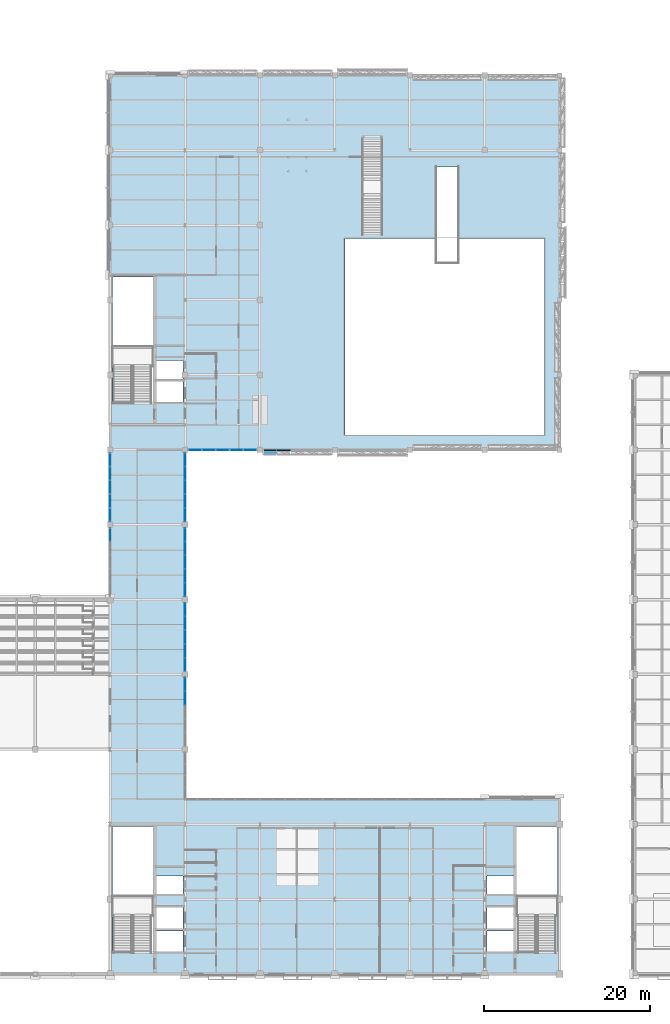
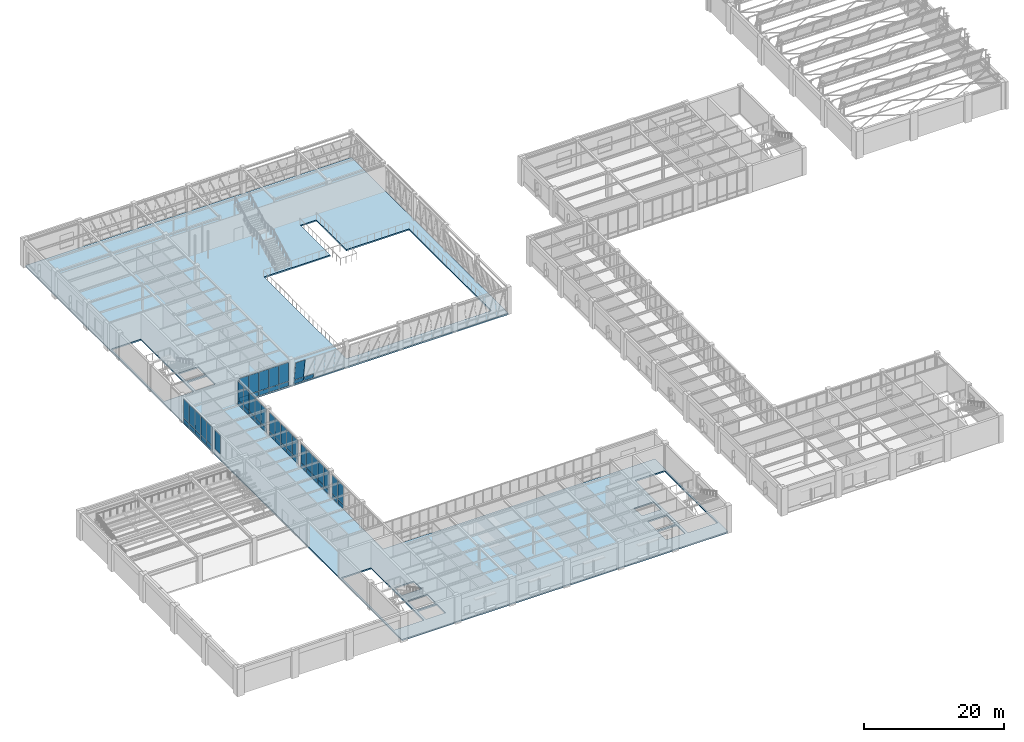
# One storey, part 68 of 98: 58 plates, 1 slab, 8 openings, 8 elements without a shape of their own.
"""IFC4 building model written with IfcOpenShell, lengths in metres."""

from ifc_helpers import new_model, si_unit, direction, frame, origin, origin_2d, place, context, subcontext, project, spatial, polyline, rectangle, outline, extrude, material, layer, layer_set, type_object, element, aggregate, save


model = new_model("IFC4")

# Units and contexts
model_context = context("Model", 3, precision=1e-05, world=origin(), true_north=direction((0.0, 1.0)))
body_context = subcontext(model_context, "Body", "Model", "MODEL_VIEW")
ifc_project = project(units=[si_unit("LENGTHUNIT", "METRE"), si_unit("AREAUNIT", "SQUARE_METRE"), si_unit("VOLUMEUNIT", "CUBIC_METRE"), si_unit("PLANEANGLEUNIT", "RADIAN"), si_unit("MASSUNIT", "GRAM", prefix="KILO")], contexts=[model_context])

# Site, building, storey
site_placement = place(None, origin())
site = spatial("IfcSite", under=ifc_project, at=site_placement, CompositionType="ELEMENT")
building_placement = place(site_placement, origin())
building = spatial("IfcBuilding", under=site, at=building_placement, Name="Lykobir Media Centre", CompositionType="ELEMENT")
storey_placement = place(building_placement, frame((0.0, 0.0, 10.199951171875)))
storey = spatial("IfcBuildingStorey", under=building, at=storey_placement, Name="L02", CompositionType="ELEMENT", Elevation=10.199951171875)

# Curtain wall, plates
ifc_material_1 = material(Name="Anodized Aluminium AW-6060", Category="aluminium")
curtain_wall_type_1 = type_object("IfcCurtainWallType", Name="CW-COURT-A", PredefinedType="NOTDEFINED", material=ifc_material_1)
curtain_wall_1_placement = place(storey_placement, origin())
curtain_wall_1 = element("IfcCurtainWall", 1, at=curtain_wall_1_placement, inside=storey, type_object=curtain_wall_type_1, Name="Curtain wall CW2-L02-0078", PredefinedType="NOTDEFINED")
ifc_material_2 = material(Name="Low-E Laminated Triple Glazing", Category="glass")
ifc_layer_1 = layer(ifc_material_2, 0.0380859375, Name="Low-E Laminated Triple Glazing")
ifc_layer_set_1 = layer_set([ifc_layer_1], Name="Low-E Laminated Triple Glazing")
plate_type_1 = type_object("IfcPlateType", Name="CWP-GLZ-38", PredefinedType="CURTAIN_PANEL", material=ifc_layer_set_1)
plate_1_placement = place(storey_placement, frame((36.0, 34.7998046875, 0.882568359375), z_axis=(0.0, 0.0, 1.0), x_axis=(0.0, -1.0, 0.0)))
plate_1 = element("IfcPlate", 2, at=plate_1_placement, type_object=plate_type_1, Name="CW2-L02-0078 panel 1.2", PredefinedType="CURTAIN_PANEL", context=body_context, shape_type="SweptSolid", body=[
    extrude(rectangle(XDim=1.560546875, YDim=0.0380859375, at=origin_2d()), origin(), (0.0, 0.0, 1.0), 3.267578125),
])
plate_2_placement = place(storey_placement, frame((36.0, 33.157958984375, 0.882568359375), z_axis=(0.0, 0.0, 1.0), x_axis=(0.0, -1.0, 0.0)))
plate_2 = element("IfcPlate", 3, at=plate_2_placement, type_object=plate_type_1, Name="CW2-L02-0078 panel 2.2", PredefinedType="CURTAIN_PANEL", context=body_context, shape_type="SweptSolid", body=[
    extrude(rectangle(XDim=1.593017578125, YDim=0.0380859375, at=origin_2d()), origin(), (0.0, 0.0, 1.0), 3.267578125),
])

curtain_wall_2_placement = place(storey_placement, origin())
curtain_wall_2 = element("IfcCurtainWall", 4, at=curtain_wall_2_placement, inside=storey, type_object=curtain_wall_type_1, Name="Curtain wall CW2-L02-0079", PredefinedType="NOTDEFINED")
plate_3_placement = place(storey_placement, frame((36.0, 43.7998046875, 0.882568359375), z_axis=(0.0, 0.0, 1.0), x_axis=(0.0, -1.0, 0.0)))
plate_3 = element("IfcPlate", 5, at=plate_3_placement, type_object=plate_type_1, Name="CW2-L02-0079 panel 1.2", PredefinedType="CURTAIN_PANEL", context=body_context, shape_type="SweptSolid", body=[
    extrude(rectangle(XDim=1.560546875, YDim=0.0380859375, at=origin_2d()), origin(), (0.0, 0.0, 1.0), 3.267578125),
])
plate_4_placement = place(storey_placement, frame((36.0, 42.157958984375, 0.882568359375), z_axis=(0.0, 0.0, 1.0), x_axis=(0.0, -1.0, 0.0)))
plate_4 = element("IfcPlate", 6, at=plate_4_placement, type_object=plate_type_1, Name="CW2-L02-0079 panel 2.2", PredefinedType="CURTAIN_PANEL", context=body_context, shape_type="SweptSolid", body=[
    extrude(rectangle(XDim=1.593017578125, YDim=0.0380859375, at=origin_2d()), origin(), (0.0, 0.0, 1.0), 3.267578125),
])
plate_5_placement = place(storey_placement, frame((36.0, 40.5, 0.882568359375), z_axis=(0.0, 0.0, 1.0), x_axis=(0.0, -1.0, 0.0)))
plate_5 = element("IfcPlate", 7, at=plate_5_placement, type_object=plate_type_1, Name="CW2-L02-0079 panel 3.2", PredefinedType="CURTAIN_PANEL", context=body_context, shape_type="SweptSolid", body=[
    extrude(rectangle(XDim=1.593017578125, YDim=0.0380859375, at=origin_2d()), origin(), (0.0, 0.0, 1.0), 3.267578125),
])
plate_6_placement = place(storey_placement, frame((36.0, 38.842041015625, 0.882568359375), z_axis=(0.0, 0.0, 1.0), x_axis=(0.0, -1.0, 0.0)))
plate_6 = element("IfcPlate", 8, at=plate_6_placement, type_object=plate_type_1, Name="CW2-L02-0079 panel 4.2", PredefinedType="CURTAIN_PANEL", context=body_context, shape_type="SweptSolid", body=[
    extrude(rectangle(XDim=1.593017578125, YDim=0.0380859375, at=origin_2d()), origin(), (0.0, 0.0, 1.0), 3.267578125),
])
plate_7_placement = place(storey_placement, frame((36.0, 37.2001953125, 0.882568359375), z_axis=(0.0, 0.0, 1.0), x_axis=(0.0, -1.0, 0.0)))
plate_7 = element("IfcPlate", 9, at=plate_7_placement, type_object=plate_type_1, Name="CW2-L02-0079 panel 5.2", PredefinedType="CURTAIN_PANEL", context=body_context, shape_type="SweptSolid", body=[
    extrude(rectangle(XDim=1.560546875, YDim=0.0380859375, at=origin_2d()), origin(), (0.0, 0.0, 1.0), 3.267578125),
])

curtain_wall_3_placement = place(storey_placement, origin())
curtain_wall_3 = element("IfcCurtainWall", 10, at=curtain_wall_3_placement, inside=storey, type_object=curtain_wall_type_1, Name="Curtain wall CW2-L02-0080", PredefinedType="NOTDEFINED")
plate_8_placement = place(storey_placement, frame((36.0, 52.7998046875, 0.882568359375), z_axis=(0.0, 0.0, 1.0), x_axis=(0.0, -1.0, 0.0)))
plate_8 = element("IfcPlate", 11, at=plate_8_placement, type_object=plate_type_1, Name="CW2-L02-0080 panel 1.2", PredefinedType="CURTAIN_PANEL", context=body_context, shape_type="SweptSolid", body=[
    extrude(rectangle(XDim=1.560546875, YDim=0.0380859375, at=origin_2d()), origin(), (0.0, 0.0, 1.0), 3.267578125),
])
plate_9_placement = place(storey_placement, frame((36.0, 51.157958984375, 0.882568359375), z_axis=(0.0, 0.0, 1.0), x_axis=(0.0, -1.0, 0.0)))
plate_9 = element("IfcPlate", 12, at=plate_9_placement, type_object=plate_type_1, Name="CW2-L02-0080 panel 2.2", PredefinedType="CURTAIN_PANEL", context=body_context, shape_type="SweptSolid", body=[
    extrude(rectangle(XDim=1.593017578125, YDim=0.0380859375, at=origin_2d()), origin(), (0.0, 0.0, 1.0), 3.267578125),
])
plate_10_placement = place(storey_placement, frame((36.0, 49.5, 0.882568359375), z_axis=(0.0, 0.0, 1.0), x_axis=(0.0, -1.0, 0.0)))
plate_10 = element("IfcPlate", 13, at=plate_10_placement, type_object=plate_type_1, Name="CW2-L02-0080 panel 3.2", PredefinedType="CURTAIN_PANEL", context=body_context, shape_type="SweptSolid", body=[
    extrude(rectangle(XDim=1.593017578125, YDim=0.0380859375, at=origin_2d()), origin(), (0.0, 0.0, 1.0), 3.267578125),
])
plate_11_placement = place(storey_placement, frame((36.0, 47.842041015625, 0.882568359375), z_axis=(0.0, 0.0, 1.0), x_axis=(0.0, -1.0, 0.0)))
plate_11 = element("IfcPlate", 14, at=plate_11_placement, type_object=plate_type_1, Name="CW2-L02-0080 panel 4.2", PredefinedType="CURTAIN_PANEL", context=body_context, shape_type="SweptSolid", body=[
    extrude(rectangle(XDim=1.593017578125, YDim=0.0380859375, at=origin_2d()), origin(), (0.0, 0.0, 1.0), 3.267578125),
])
plate_12_placement = place(storey_placement, frame((36.0, 46.2001953125, 0.882568359375), z_axis=(0.0, 0.0, 1.0), x_axis=(0.0, -1.0, 0.0)))
plate_12 = element("IfcPlate", 15, at=plate_12_placement, type_object=plate_type_1, Name="CW2-L02-0080 panel 5.2", PredefinedType="CURTAIN_PANEL", context=body_context, shape_type="SweptSolid", body=[
    extrude(rectangle(XDim=1.560546875, YDim=0.0380859375, at=origin_2d()), origin(), (0.0, 0.0, 1.0), 3.267578125),
])

curtain_wall_4_placement = place(storey_placement, origin())
curtain_wall_4 = element("IfcCurtainWall", 16, at=curtain_wall_4_placement, inside=storey, type_object=curtain_wall_type_1, Name="Curtain wall CW2-L02-0081", PredefinedType="NOTDEFINED")
plate_13_placement = place(storey_placement, frame((36.0, 61.7998046875, 0.882568359375), z_axis=(0.0, 0.0, 1.0), x_axis=(0.0, -1.0, 0.0)))
plate_13 = element("IfcPlate", 17, at=plate_13_placement, type_object=plate_type_1, Name="CW2-L02-0081 panel 1.2", PredefinedType="CURTAIN_PANEL", context=body_context, shape_type="SweptSolid", body=[
    extrude(rectangle(XDim=1.560546875, YDim=0.0380859375, at=origin_2d()), origin(), (0.0, 0.0, 1.0), 3.267578125),
])
plate_14_placement = place(storey_placement, frame((36.0, 60.157958984375, 0.882568359375), z_axis=(0.0, 0.0, 1.0), x_axis=(0.0, -1.0, 0.0)))
plate_14 = element("IfcPlate", 18, at=plate_14_placement, type_object=plate_type_1, Name="CW2-L02-0081 panel 2.2", PredefinedType="CURTAIN_PANEL", context=body_context, shape_type="SweptSolid", body=[
    extrude(rectangle(XDim=1.593017578125, YDim=0.0380859375, at=origin_2d()), origin(), (0.0, 0.0, 1.0), 3.267578125),
])
plate_15_placement = place(storey_placement, frame((36.0, 58.5, 0.882568359375), z_axis=(0.0, 0.0, 1.0), x_axis=(0.0, -1.0, 0.0)))
plate_15 = element("IfcPlate", 19, at=plate_15_placement, type_object=plate_type_1, Name="CW2-L02-0081 panel 3.2", PredefinedType="CURTAIN_PANEL", context=body_context, shape_type="SweptSolid", body=[
    extrude(rectangle(XDim=1.593017578125, YDim=0.0380859375, at=origin_2d()), origin(), (0.0, 0.0, 1.0), 3.267578125),
])
plate_16_placement = place(storey_placement, frame((36.0, 56.842041015625, 0.882568359375), z_axis=(0.0, 0.0, 1.0), x_axis=(0.0, -1.0, 0.0)))
plate_16 = element("IfcPlate", 20, at=plate_16_placement, type_object=plate_type_1, Name="CW2-L02-0081 panel 4.2", PredefinedType="CURTAIN_PANEL", context=body_context, shape_type="SweptSolid", body=[
    extrude(rectangle(XDim=1.593017578125, YDim=0.0380859375, at=origin_2d()), origin(), (0.0, 0.0, 1.0), 3.267578125),
])
plate_17_placement = place(storey_placement, frame((36.0, 55.2001953125, 0.882568359375), z_axis=(0.0, 0.0, 1.0), x_axis=(0.0, -1.0, 0.0)))
plate_17 = element("IfcPlate", 21, at=plate_17_placement, type_object=plate_type_1, Name="CW2-L02-0081 panel 5.2", PredefinedType="CURTAIN_PANEL", context=body_context, shape_type="SweptSolid", body=[
    extrude(rectangle(XDim=1.560546875, YDim=0.0380859375, at=origin_2d()), origin(), (0.0, 0.0, 1.0), 3.267578125),
])

curtain_wall_5_placement = place(storey_placement, origin())
curtain_wall_5 = element("IfcCurtainWall", 22, at=curtain_wall_5_placement, inside=storey, type_object=curtain_wall_type_1, Name="Curtain wall CW2-L02-0082", PredefinedType="NOTDEFINED")
plate_18_placement = place(storey_placement, frame((43.7998046875, 63.0, 0.882568359375), z_axis=(0.0, 0.0, 1.0), x_axis=(-1.0, 0.0, 0.0)))
plate_18 = element("IfcPlate", 23, at=plate_18_placement, type_object=plate_type_1, Name="CW2-L02-0082 panel 1.2", PredefinedType="CURTAIN_PANEL", context=body_context, shape_type="SweptSolid", body=[
    extrude(rectangle(XDim=1.560546875, YDim=0.0380859375, at=origin_2d()), origin(), (0.0, 0.0, 1.0), 3.28759765625),
])
plate_19_placement = place(storey_placement, frame((42.157958984375, 63.0, 0.882568359375), z_axis=(0.0, 0.0, 1.0), x_axis=(-1.0, 0.0, 0.0)))
plate_19 = element("IfcPlate", 24, at=plate_19_placement, type_object=plate_type_1, Name="CW2-L02-0082 panel 2.2", PredefinedType="CURTAIN_PANEL", context=body_context, shape_type="SweptSolid", body=[
    extrude(rectangle(XDim=1.593017578125, YDim=0.0380859375, at=origin_2d()), origin(), (0.0, 0.0, 1.0), 3.28759765625),
])
plate_20_placement = place(storey_placement, frame((40.5, 63.0, 0.882568359375), z_axis=(0.0, 0.0, 1.0), x_axis=(-1.0, 0.0, 0.0)))
plate_20 = element("IfcPlate", 25, at=plate_20_placement, type_object=plate_type_1, Name="CW2-L02-0082 panel 3.2", PredefinedType="CURTAIN_PANEL", context=body_context, shape_type="SweptSolid", body=[
    extrude(rectangle(XDim=1.593017578125, YDim=0.0380859375, at=origin_2d()), origin(), (0.0, 0.0, 1.0), 3.28759765625),
])
plate_21_placement = place(storey_placement, frame((38.842041015625, 63.0, 0.882568359375), z_axis=(0.0, 0.0, 1.0), x_axis=(-1.0, 0.0, 0.0)))
plate_21 = element("IfcPlate", 26, at=plate_21_placement, type_object=plate_type_1, Name="CW2-L02-0082 panel 4.2", PredefinedType="CURTAIN_PANEL", context=body_context, shape_type="SweptSolid", body=[
    extrude(rectangle(XDim=1.593017578125, YDim=0.0380859375, at=origin_2d()), origin(), (0.0, 0.0, 1.0), 3.28759765625),
])
plate_22_placement = place(storey_placement, frame((37.2001953125, 63.0, 0.882568359375), z_axis=(0.0, 0.0, 1.0), x_axis=(-1.0, 0.0, 0.0)))
plate_22 = element("IfcPlate", 27, at=plate_22_placement, type_object=plate_type_1, Name="CW2-L02-0082 panel 5.2", PredefinedType="CURTAIN_PANEL", context=body_context, shape_type="SweptSolid", body=[
    extrude(rectangle(XDim=1.560546875, YDim=0.0380859375, at=origin_2d()), origin(), (0.0, 0.0, 1.0), 3.28759765625),
])

# Curtain wall, plate
curtain_wall_6_placement = place(storey_placement, origin())
curtain_wall_6 = element("IfcCurtainWall", 28, at=curtain_wall_6_placement, inside=storey, type_object=curtain_wall_type_1, Name="Curtain wall CW2-L02-0097", PredefinedType="NOTDEFINED")
plate_23_placement = place(storey_placement, frame((27.0, 52.8046875, 0.882568359375), z_axis=(0.0, 0.0, 1.0), x_axis=(0.0, 1.0, 0.0)))
plate_23 = element("IfcPlate", 29, at=plate_23_placement, type_object=plate_type_1, Name="CW2-L02-0097 panel 5.2", PredefinedType="CURTAIN_PANEL", context=body_context, shape_type="SweptSolid", body=[
    extrude(rectangle(XDim=1.550537109375, YDim=0.0380859375, at=origin_2d()), origin(), (0.0, 0.0, 1.0), 3.28759765625),
])
aggregate(curtain_wall_6, [plate_23])

# Curtain wall, plates
curtain_wall_7_placement = place(storey_placement, origin())
curtain_wall_7 = element("IfcCurtainWall", 30, at=curtain_wall_7_placement, inside=storey, type_object=curtain_wall_type_1, Name="Curtain wall CW2-L02-0098", PredefinedType="NOTDEFINED")
plate_24_placement = place(storey_placement, frame((27.0, 55.2001953125, 0.882568359375), z_axis=(0.0, 0.0, 1.0), x_axis=(0.0, 1.0, 0.0)))
plate_24 = element("IfcPlate", 31, at=plate_24_placement, type_object=plate_type_1, Name="CW2-L02-0098 panel 1.2", PredefinedType="CURTAIN_PANEL", context=body_context, shape_type="SweptSolid", body=[
    extrude(rectangle(XDim=1.560546875, YDim=0.0380859375, at=origin_2d()), origin(), (0.0, 0.0, 1.0), 3.28759765625),
])
plate_25_placement = place(storey_placement, frame((27.0, 56.842041015625, 0.882568359375), z_axis=(0.0, 0.0, 1.0), x_axis=(0.0, 1.0, 0.0)))
plate_25 = element("IfcPlate", 32, at=plate_25_placement, type_object=plate_type_1, Name="CW2-L02-0098 panel 2.2", PredefinedType="CURTAIN_PANEL", context=body_context, shape_type="SweptSolid", body=[
    extrude(rectangle(XDim=1.593017578125, YDim=0.0380859375, at=origin_2d()), origin(), (0.0, 0.0, 1.0), 3.28759765625),
])
plate_26_placement = place(storey_placement, frame((27.0, 58.5, 0.882568359375), z_axis=(0.0, 0.0, 1.0), x_axis=(0.0, 1.0, 0.0)))
plate_26 = element("IfcPlate", 33, at=plate_26_placement, type_object=plate_type_1, Name="CW2-L02-0098 panel 3.2", PredefinedType="CURTAIN_PANEL", context=body_context, shape_type="SweptSolid", body=[
    extrude(rectangle(XDim=1.593017578125, YDim=0.0380859375, at=origin_2d()), origin(), (0.0, 0.0, 1.0), 3.28759765625),
])
plate_27_placement = place(storey_placement, frame((27.0, 60.157958984375, 0.882568359375), z_axis=(0.0, 0.0, 1.0), x_axis=(0.0, 1.0, 0.0)))
plate_27 = element("IfcPlate", 34, at=plate_27_placement, type_object=plate_type_1, Name="CW2-L02-0098 panel 4.2", PredefinedType="CURTAIN_PANEL", context=body_context, shape_type="SweptSolid", body=[
    extrude(rectangle(XDim=1.593017578125, YDim=0.0380859375, at=origin_2d()), origin(), (0.0, 0.0, 1.0), 3.28759765625),
])
plate_28_placement = place(storey_placement, frame((27.0, 61.7998046875, 0.882568359375), z_axis=(0.0, 0.0, 1.0), x_axis=(0.0, 1.0, 0.0)))
plate_28 = element("IfcPlate", 35, at=plate_28_placement, type_object=plate_type_1, Name="CW2-L02-0098 panel 5.2", PredefinedType="CURTAIN_PANEL", context=body_context, shape_type="SweptSolid", body=[
    extrude(rectangle(XDim=1.560546875, YDim=0.0380859375, at=origin_2d()), origin(), (0.0, 0.0, 1.0), 3.28759765625),
])

# Curtain wall, plate
curtain_wall_type_2 = type_object("IfcCurtainWallType", Name="CW-V6-CR2", PredefinedType="NOTDEFINED", material=ifc_material_1)
curtain_wall_8_placement = place(storey_placement, origin())
curtain_wall_8 = element("IfcCurtainWall", 36, at=curtain_wall_8_placement, inside=storey, type_object=curtain_wall_type_2, Name="Curtain wall CW2-L02-0083", PredefinedType="NOTDEFINED")
ifc_layer_2 = layer(ifc_material_2, 0.0439453125, Name="Low-E Laminated Triple Glazing")
ifc_layer_set_2 = layer_set([ifc_layer_2], Name="Low-E Laminated Triple Glazing")
plate_type_2 = type_object("IfcPlateType", Name="CWP-GLZ-44", PredefinedType="CURTAIN_PANEL", material=ifc_layer_set_2)
plate_29_placement = place(storey_placement, frame((46.20263671875, 62.873291015625, 0.87841796875), z_axis=(0.0, -0.142628933706, 0.989776230908), x_axis=(1.0, 0.0, 0.0)))
plate_29 = element("IfcPlate", 37, at=plate_29_placement, type_object=plate_type_2, Name="CW2-L02-0083 panel 1.2", PredefinedType="CURTAIN_PANEL", context=body_context, shape_type="SweptSolid", body=[
    extrude(rectangle(XDim=1.54541015625, YDim=0.0439453125, at=origin_2d()), origin(), (0.0, 0.0, 1.0), 3.316162109375),
])

# Plate
ifc_material_3 = material(Name="Glazed Turquoise Terracotta", Category="masonry")
ifc_layer_3 = layer(ifc_material_3, 0.06005859375, Name="Glazed Turquoise Terracotta")
ifc_layer_set_3 = layer_set([ifc_layer_3], Name="Glazed Turquoise Terracotta")
plate_type_3 = type_object("IfcPlateType", Name="CWP-SPN-60", PredefinedType="CURTAIN_PANEL", material=ifc_layer_set_3)
plate_30_placement = place(storey_placement, frame((36.0, 34.7998046875, 0.06494140625), z_axis=(0.0, 0.0, 1.0), x_axis=(0.0, -1.0, 0.0)))
plate_30 = element("IfcPlate", 38, at=plate_30_placement, type_object=plate_type_3, Name="CW2-L02-0078 panel 1.1", PredefinedType="CURTAIN_PANEL", context=body_context, shape_type="SweptSolid", body=[
    extrude(rectangle(XDim=1.560546875, YDim=0.06005859375, at=origin_2d()), origin(), (0.0, 0.0, 1.0), 0.75244140625),
])

plate_31_placement = place(storey_placement, frame((36.0, 33.157958984375, 0.06494140625), z_axis=(0.0, 0.0, 1.0), x_axis=(0.0, -1.0, 0.0)))
plate_31 = element("IfcPlate", 39, at=plate_31_placement, type_object=plate_type_3, Name="CW2-L02-0078 panel 2.1", PredefinedType="CURTAIN_PANEL", context=body_context, shape_type="SweptSolid", body=[
    extrude(rectangle(XDim=1.593017578125, YDim=0.06005859375, at=origin_2d()), origin(), (0.0, 0.0, 1.0), 0.75244140625),
])

aggregate(curtain_wall_1, [plate_30, plate_1, plate_31, plate_2])

plate_32_placement = place(storey_placement, frame((36.0, 43.7998046875, 0.06494140625), z_axis=(0.0, 0.0, 1.0), x_axis=(0.0, -1.0, 0.0)))
plate_32 = element("IfcPlate", 40, at=plate_32_placement, type_object=plate_type_3, Name="CW2-L02-0079 panel 1.1", PredefinedType="CURTAIN_PANEL", context=body_context, shape_type="SweptSolid", body=[
    extrude(rectangle(XDim=1.560546875, YDim=0.06005859375, at=origin_2d()), origin(), (0.0, 0.0, 1.0), 0.75244140625),
])

plate_33_placement = place(storey_placement, frame((36.0, 42.157958984375, 0.06494140625), z_axis=(0.0, 0.0, 1.0), x_axis=(0.0, -1.0, 0.0)))
plate_33 = element("IfcPlate", 41, at=plate_33_placement, type_object=plate_type_3, Name="CW2-L02-0079 panel 2.1", PredefinedType="CURTAIN_PANEL", context=body_context, shape_type="SweptSolid", body=[
    extrude(rectangle(XDim=1.593017578125, YDim=0.06005859375, at=origin_2d()), origin(), (0.0, 0.0, 1.0), 0.75244140625),
])

plate_34_placement = place(storey_placement, frame((36.0, 40.5, 0.06494140625), z_axis=(0.0, 0.0, 1.0), x_axis=(0.0, -1.0, 0.0)))
plate_34 = element("IfcPlate", 42, at=plate_34_placement, type_object=plate_type_3, Name="CW2-L02-0079 panel 3.1", PredefinedType="CURTAIN_PANEL", context=body_context, shape_type="SweptSolid", body=[
    extrude(rectangle(XDim=1.593017578125, YDim=0.06005859375, at=origin_2d()), origin(), (0.0, 0.0, 1.0), 0.75244140625),
])

plate_35_placement = place(storey_placement, frame((36.0, 38.842041015625, 0.06494140625), z_axis=(0.0, 0.0, 1.0), x_axis=(0.0, -1.0, 0.0)))
plate_35 = element("IfcPlate", 43, at=plate_35_placement, type_object=plate_type_3, Name="CW2-L02-0079 panel 4.1", PredefinedType="CURTAIN_PANEL", context=body_context, shape_type="SweptSolid", body=[
    extrude(rectangle(XDim=1.593017578125, YDim=0.06005859375, at=origin_2d()), origin(), (0.0, 0.0, 1.0), 0.75244140625),
])

plate_36_placement = place(storey_placement, frame((36.0, 37.2001953125, 0.06494140625), z_axis=(0.0, 0.0, 1.0), x_axis=(0.0, -1.0, 0.0)))
plate_36 = element("IfcPlate", 44, at=plate_36_placement, type_object=plate_type_3, Name="CW2-L02-0079 panel 5.1", PredefinedType="CURTAIN_PANEL", context=body_context, shape_type="SweptSolid", body=[
    extrude(rectangle(XDim=1.560546875, YDim=0.06005859375, at=origin_2d()), origin(), (0.0, 0.0, 1.0), 0.75244140625),
])

aggregate(curtain_wall_2, [plate_32, plate_3, plate_33, plate_4, plate_34, plate_5, plate_35, plate_6, plate_36, plate_7])

plate_37_placement = place(storey_placement, frame((36.0, 52.7998046875, 0.06494140625), z_axis=(0.0, 0.0, 1.0), x_axis=(0.0, -1.0, 0.0)))
plate_37 = element("IfcPlate", 45, at=plate_37_placement, type_object=plate_type_3, Name="CW2-L02-0080 panel 1.1", PredefinedType="CURTAIN_PANEL", context=body_context, shape_type="SweptSolid", body=[
    extrude(rectangle(XDim=1.560546875, YDim=0.06005859375, at=origin_2d()), origin(), (0.0, 0.0, 1.0), 0.75244140625),
])

plate_38_placement = place(storey_placement, frame((36.0, 51.157958984375, 0.06494140625), z_axis=(0.0, 0.0, 1.0), x_axis=(0.0, -1.0, 0.0)))
plate_38 = element("IfcPlate", 46, at=plate_38_placement, type_object=plate_type_3, Name="CW2-L02-0080 panel 2.1", PredefinedType="CURTAIN_PANEL", context=body_context, shape_type="SweptSolid", body=[
    extrude(rectangle(XDim=1.593017578125, YDim=0.06005859375, at=origin_2d()), origin(), (0.0, 0.0, 1.0), 0.75244140625),
])

plate_39_placement = place(storey_placement, frame((36.0, 49.5, 0.06494140625), z_axis=(0.0, 0.0, 1.0), x_axis=(0.0, -1.0, 0.0)))
plate_39 = element("IfcPlate", 47, at=plate_39_placement, type_object=plate_type_3, Name="CW2-L02-0080 panel 3.1", PredefinedType="CURTAIN_PANEL", context=body_context, shape_type="SweptSolid", body=[
    extrude(rectangle(XDim=1.593017578125, YDim=0.06005859375, at=origin_2d()), origin(), (0.0, 0.0, 1.0), 0.75244140625),
])

plate_40_placement = place(storey_placement, frame((36.0, 47.842041015625, 0.06494140625), z_axis=(0.0, 0.0, 1.0), x_axis=(0.0, -1.0, 0.0)))
plate_40 = element("IfcPlate", 48, at=plate_40_placement, type_object=plate_type_3, Name="CW2-L02-0080 panel 4.1", PredefinedType="CURTAIN_PANEL", context=body_context, shape_type="SweptSolid", body=[
    extrude(rectangle(XDim=1.593017578125, YDim=0.06005859375, at=origin_2d()), origin(), (0.0, 0.0, 1.0), 0.75244140625),
])

plate_41_placement = place(storey_placement, frame((36.0, 46.2001953125, 0.06494140625), z_axis=(0.0, 0.0, 1.0), x_axis=(0.0, -1.0, 0.0)))
plate_41 = element("IfcPlate", 49, at=plate_41_placement, type_object=plate_type_3, Name="CW2-L02-0080 panel 5.1", PredefinedType="CURTAIN_PANEL", context=body_context, shape_type="SweptSolid", body=[
    extrude(rectangle(XDim=1.560546875, YDim=0.06005859375, at=origin_2d()), origin(), (0.0, 0.0, 1.0), 0.75244140625),
])

aggregate(curtain_wall_3, [plate_37, plate_8, plate_38, plate_9, plate_39, plate_10, plate_40, plate_11, plate_41, plate_12])

plate_42_placement = place(storey_placement, frame((36.0, 61.7998046875, 0.06494140625), z_axis=(0.0, 0.0, 1.0), x_axis=(0.0, -1.0, 0.0)))
plate_42 = element("IfcPlate", 50, at=plate_42_placement, type_object=plate_type_3, Name="CW2-L02-0081 panel 1.1", PredefinedType="CURTAIN_PANEL", context=body_context, shape_type="SweptSolid", body=[
    extrude(rectangle(XDim=1.560546875, YDim=0.06005859375, at=origin_2d()), origin(), (0.0, 0.0, 1.0), 0.75244140625),
])

plate_43_placement = place(storey_placement, frame((36.0, 60.157958984375, 0.06494140625), z_axis=(0.0, 0.0, 1.0), x_axis=(0.0, -1.0, 0.0)))
plate_43 = element("IfcPlate", 51, at=plate_43_placement, type_object=plate_type_3, Name="CW2-L02-0081 panel 2.1", PredefinedType="CURTAIN_PANEL", context=body_context, shape_type="SweptSolid", body=[
    extrude(rectangle(XDim=1.593017578125, YDim=0.06005859375, at=origin_2d()), origin(), (0.0, 0.0, 1.0), 0.75244140625),
])

plate_44_placement = place(storey_placement, frame((36.0, 58.5, 0.06494140625), z_axis=(0.0, 0.0, 1.0), x_axis=(0.0, -1.0, 0.0)))
plate_44 = element("IfcPlate", 52, at=plate_44_placement, type_object=plate_type_3, Name="CW2-L02-0081 panel 3.1", PredefinedType="CURTAIN_PANEL", context=body_context, shape_type="SweptSolid", body=[
    extrude(rectangle(XDim=1.593017578125, YDim=0.06005859375, at=origin_2d()), origin(), (0.0, 0.0, 1.0), 0.75244140625),
])

plate_45_placement = place(storey_placement, frame((36.0, 56.842041015625, 0.06494140625), z_axis=(0.0, 0.0, 1.0), x_axis=(0.0, -1.0, 0.0)))
plate_45 = element("IfcPlate", 53, at=plate_45_placement, type_object=plate_type_3, Name="CW2-L02-0081 panel 4.1", PredefinedType="CURTAIN_PANEL", context=body_context, shape_type="SweptSolid", body=[
    extrude(rectangle(XDim=1.593017578125, YDim=0.06005859375, at=origin_2d()), origin(), (0.0, 0.0, 1.0), 0.75244140625),
])

plate_46_placement = place(storey_placement, frame((36.0, 55.2001953125, 0.06494140625), z_axis=(0.0, 0.0, 1.0), x_axis=(0.0, -1.0, 0.0)))
plate_46 = element("IfcPlate", 54, at=plate_46_placement, type_object=plate_type_3, Name="CW2-L02-0081 panel 5.1", PredefinedType="CURTAIN_PANEL", context=body_context, shape_type="SweptSolid", body=[
    extrude(rectangle(XDim=1.560546875, YDim=0.06005859375, at=origin_2d()), origin(), (0.0, 0.0, 1.0), 0.75244140625),
])

aggregate(curtain_wall_4, [plate_42, plate_13, plate_43, plate_14, plate_44, plate_15, plate_45, plate_16, plate_46, plate_17])

plate_47_placement = place(storey_placement, frame((43.7998046875, 63.0, 0.06494140625), z_axis=(0.0, 0.0, 1.0), x_axis=(-1.0, 0.0, 0.0)))
plate_47 = element("IfcPlate", 55, at=plate_47_placement, type_object=plate_type_3, Name="CW2-L02-0082 panel 1.1", PredefinedType="CURTAIN_PANEL", context=body_context, shape_type="SweptSolid", body=[
    extrude(rectangle(XDim=1.560546875, YDim=0.06005859375, at=origin_2d()), origin(), (0.0, 0.0, 1.0), 0.75244140625),
])

plate_48_placement = place(storey_placement, frame((42.157958984375, 63.0, 0.06494140625), z_axis=(0.0, 0.0, 1.0), x_axis=(-1.0, 0.0, 0.0)))
plate_48 = element("IfcPlate", 56, at=plate_48_placement, type_object=plate_type_3, Name="CW2-L02-0082 panel 2.1", PredefinedType="CURTAIN_PANEL", context=body_context, shape_type="SweptSolid", body=[
    extrude(rectangle(XDim=1.593017578125, YDim=0.06005859375, at=origin_2d()), origin(), (0.0, 0.0, 1.0), 0.75244140625),
])

plate_49_placement = place(storey_placement, frame((40.5, 63.0, 0.06494140625), z_axis=(0.0, 0.0, 1.0), x_axis=(-1.0, 0.0, 0.0)))
plate_49 = element("IfcPlate", 57, at=plate_49_placement, type_object=plate_type_3, Name="CW2-L02-0082 panel 3.1", PredefinedType="CURTAIN_PANEL", context=body_context, shape_type="SweptSolid", body=[
    extrude(rectangle(XDim=1.593017578125, YDim=0.06005859375, at=origin_2d()), origin(), (0.0, 0.0, 1.0), 0.75244140625),
])

plate_50_placement = place(storey_placement, frame((38.842041015625, 63.0, 0.06494140625), z_axis=(0.0, 0.0, 1.0), x_axis=(-1.0, 0.0, 0.0)))
plate_50 = element("IfcPlate", 58, at=plate_50_placement, type_object=plate_type_3, Name="CW2-L02-0082 panel 4.1", PredefinedType="CURTAIN_PANEL", context=body_context, shape_type="SweptSolid", body=[
    extrude(rectangle(XDim=1.593017578125, YDim=0.06005859375, at=origin_2d()), origin(), (0.0, 0.0, 1.0), 0.75244140625),
])

plate_51_placement = place(storey_placement, frame((37.2001953125, 63.0, 0.06494140625), z_axis=(0.0, 0.0, 1.0), x_axis=(-1.0, 0.0, 0.0)))
plate_51 = element("IfcPlate", 59, at=plate_51_placement, type_object=plate_type_3, Name="CW2-L02-0082 panel 5.1", PredefinedType="CURTAIN_PANEL", context=body_context, shape_type="SweptSolid", body=[
    extrude(rectangle(XDim=1.560546875, YDim=0.06005859375, at=origin_2d()), origin(), (0.0, 0.0, 1.0), 0.75244140625),
])

aggregate(curtain_wall_5, [plate_47, plate_18, plate_48, plate_19, plate_49, plate_20, plate_50, plate_21, plate_51, plate_22])

plate_52_placement = place(storey_placement, frame((46.20263671875, 62.9892578125, 0.07421875), z_axis=(0.0, -0.142628933706, 0.989776230908), x_axis=(1.0, 0.0, 0.0)))
plate_52 = element("IfcPlate", 60, at=plate_52_placement, type_object=plate_type_3, Name="CW2-L02-0083 panel 1.1", PredefinedType="CURTAIN_PANEL", context=body_context, shape_type="SweptSolid", body=[
    extrude(rectangle(XDim=1.54541015625, YDim=0.06005859375, at=origin_2d()), origin(), (0.0, 0.0, 1.0), 0.737548828125),
])

plate_53_placement = place(storey_placement, frame((47.842041015625, 62.9892578125, 0.07421875), z_axis=(0.0, -0.142628933706, 0.989776230908), x_axis=(1.0, 0.0, 0.0)))
plate_53 = element("IfcPlate", 61, at=plate_53_placement, type_object=plate_type_3, Name="CW2-L02-0083 panel 2.1", PredefinedType="CURTAIN_PANEL", context=body_context, shape_type="SweptSolid", body=[
    extrude(rectangle(XDim=1.5830078125, YDim=0.06005859375, at=origin_2d()), origin(), (0.0, 0.0, 1.0), 0.737548828125),
])

aggregate(curtain_wall_8, [plate_52, plate_29, plate_53])

plate_54_placement = place(storey_placement, frame((27.0, 55.2001953125, 0.06494140625), z_axis=(0.0, 0.0, 1.0), x_axis=(0.0, 1.0, 0.0)))
plate_54 = element("IfcPlate", 62, at=plate_54_placement, type_object=plate_type_3, Name="CW2-L02-0098 panel 1.1", PredefinedType="CURTAIN_PANEL", context=body_context, shape_type="SweptSolid", body=[
    extrude(rectangle(XDim=1.560546875, YDim=0.06005859375, at=origin_2d()), origin(), (0.0, 0.0, 1.0), 0.75244140625),
])

plate_55_placement = place(storey_placement, frame((27.0, 56.842041015625, 0.06494140625), z_axis=(0.0, 0.0, 1.0), x_axis=(0.0, 1.0, 0.0)))
plate_55 = element("IfcPlate", 63, at=plate_55_placement, type_object=plate_type_3, Name="CW2-L02-0098 panel 2.1", PredefinedType="CURTAIN_PANEL", context=body_context, shape_type="SweptSolid", body=[
    extrude(rectangle(XDim=1.593017578125, YDim=0.06005859375, at=origin_2d()), origin(), (0.0, 0.0, 1.0), 0.75244140625),
])

plate_56_placement = place(storey_placement, frame((27.0, 58.5, 0.06494140625), z_axis=(0.0, 0.0, 1.0), x_axis=(0.0, 1.0, 0.0)))
plate_56 = element("IfcPlate", 64, at=plate_56_placement, type_object=plate_type_3, Name="CW2-L02-0098 panel 3.1", PredefinedType="CURTAIN_PANEL", context=body_context, shape_type="SweptSolid", body=[
    extrude(rectangle(XDim=1.593017578125, YDim=0.06005859375, at=origin_2d()), origin(), (0.0, 0.0, 1.0), 0.75244140625),
])

plate_57_placement = place(storey_placement, frame((27.0, 60.157958984375, 0.06494140625), z_axis=(0.0, 0.0, 1.0), x_axis=(0.0, 1.0, 0.0)))
plate_57 = element("IfcPlate", 65, at=plate_57_placement, type_object=plate_type_3, Name="CW2-L02-0098 panel 4.1", PredefinedType="CURTAIN_PANEL", context=body_context, shape_type="SweptSolid", body=[
    extrude(rectangle(XDim=1.593017578125, YDim=0.06005859375, at=origin_2d()), origin(), (0.0, 0.0, 1.0), 0.75244140625),
])

plate_58_placement = place(storey_placement, frame((27.0, 61.7998046875, 0.06494140625), z_axis=(0.0, 0.0, 1.0), x_axis=(0.0, 1.0, 0.0)))
plate_58 = element("IfcPlate", 66, at=plate_58_placement, type_object=plate_type_3, Name="CW2-L02-0098 panel 5.1", PredefinedType="CURTAIN_PANEL", context=body_context, shape_type="SweptSolid", body=[
    extrude(rectangle(XDim=1.560546875, YDim=0.06005859375, at=origin_2d()), origin(), (0.0, 0.0, 1.0), 0.75244140625),
])

aggregate(curtain_wall_7, [plate_54, plate_24, plate_55, plate_25, plate_56, plate_26, plate_57, plate_27, plate_58, plate_28])

# Slab, openings
ifc_material_4 = material(Name="Concrete C30/37", Category="concrete")
ifc_layer_4 = layer(ifc_material_4, 0.239990234375, Name="Concrete C30/37")
ifc_layer_set_4 = layer_set([ifc_layer_4], Name="Concrete C30/37")
slab_type = type_object("IfcSlabType", Name="FS-240", PredefinedType="FLOOR", material=ifc_layer_set_4)
slab_placement = place(storey_placement, frame((0.0, 0.0, -0.239990234375)))
slab = element("IfcSlab", 67, at=slab_placement, inside=storey, type_object=slab_type, Name="L02 structural slab 1", PredefinedType="FLOOR", context=body_context, shape_type="SweptSolid", body=[
    extrude(outline(polyline([(36.0, 63.0), (81.0, 63.0), (81.0, 108.0), (27.0, 108.0), (27.0, 63.0), (27.0, 21.0), (27.0, 0.0), (81.0, 0.0), (81.0, 21.0), (36.0, 21.0), (36.0, 63.0)]), holes=[polyline([(32.14990234375, 2.64990234375), (27.25, 2.64990234375), (27.25, 17.75), (32.14990234375, 17.75), (32.14990234375, 2.64990234375)]), polyline([(80.75, 2.64990234375), (75.85009765625, 2.64990234375), (75.85009765625, 17.75), (80.75, 17.75), (80.75, 2.64990234375)]), polyline([(32.14990234375, 68.64990234375), (27.25, 68.64990234375), (27.25, 83.75), (32.14990234375, 83.75), (32.14990234375, 68.64990234375)]), polyline([(79.199951171875, 64.800048828125), (55.199951171875, 64.800048828125), (55.199951171875, 88.39990234375), (66.179931640625, 88.39990234375), (66.179931640625, 96.97998046875), (68.820068359375, 96.97998046875), (68.820068359375, 88.39990234375), (79.199951171875, 88.39990234375), (79.199951171875, 64.800048828125)])]), origin(), (0.0, 0.0, 1.0), 0.239990234375),
])
opening_1_placement = place(slab_placement, frame((34.14990234375, 3.949951171875, 0.0)))
element("IfcOpeningElement", 68, at=opening_1_placement, cuts=slab, Name="Shaft opening C1-pass_shaft-L02", PredefinedType="OPENING", context=body_context, shape_type="SweptSolid", body=[
    extrude(rectangle(XDim=3.199951171875, YDim=2.5, at=origin_2d()), origin(), (0.0, 0.0, 1.0), 0.239990234375),
])
opening_2_placement = place(slab_placement, frame((34.14990234375, 6.75, 0.0)))
element("IfcOpeningElement", 69, at=opening_2_placement, cuts=slab, Name="Shaft opening C1-ff_shaft-L02", PredefinedType="OPENING", context=body_context, shape_type="SweptSolid", body=[
    extrude(rectangle(XDim=3.199951171875, YDim=2.5, at=origin_2d()), origin(), (0.0, 0.0, 1.0), 0.239990234375),
])
opening_3_placement = place(slab_placement, frame((34.14990234375, 10.699951171875, 0.0)))
element("IfcOpeningElement", 70, at=opening_3_placement, cuts=slab, Name="Shaft opening C1-riser_shaft-L02", PredefinedType="OPENING", context=body_context, shape_type="SweptSolid", body=[
    extrude(rectangle(XDim=3.199951171875, YDim=2.199951171875, at=origin_2d()), origin(), (0.0, 0.0, 1.0), 0.239990234375),
])
opening_4_placement = place(slab_placement, frame((73.85009765625, 3.949951171875, 0.0)))
element("IfcOpeningElement", 71, at=opening_4_placement, cuts=slab, Name="Shaft opening C2-pass_shaft-L02", PredefinedType="OPENING", context=body_context, shape_type="SweptSolid", body=[
    extrude(rectangle(XDim=3.199951171875, YDim=2.5, at=origin_2d()), origin(), (0.0, 0.0, 1.0), 0.239990234375),
])
opening_5_placement = place(slab_placement, frame((73.85009765625, 6.75, 0.0)))
element("IfcOpeningElement", 72, at=opening_5_placement, cuts=slab, Name="Shaft opening C2-ff_shaft-L02", PredefinedType="OPENING", context=body_context, shape_type="SweptSolid", body=[
    extrude(rectangle(XDim=3.199951171875, YDim=2.5, at=origin_2d()), origin(), (0.0, 0.0, 1.0), 0.239990234375),
])
opening_6_placement = place(slab_placement, frame((73.85009765625, 10.699951171875, 0.0)))
element("IfcOpeningElement", 73, at=opening_6_placement, cuts=slab, Name="Shaft opening C2-riser_shaft-L02", PredefinedType="OPENING", context=body_context, shape_type="SweptSolid", body=[
    extrude(rectangle(XDim=3.199951171875, YDim=2.199951171875, at=origin_2d()), origin(), (0.0, 0.0, 1.0), 0.239990234375),
])
opening_7_placement = place(slab_placement, frame((34.14990234375, 69.949951171875, 0.0)))
element("IfcOpeningElement", 74, at=opening_7_placement, cuts=slab, Name="Shaft opening C3-pass_shaft-L02", PredefinedType="OPENING", context=body_context, shape_type="SweptSolid", body=[
    extrude(rectangle(XDim=3.199951171875, YDim=2.5, at=origin_2d()), origin(), (0.0, 0.0, 1.0), 0.239990234375),
])
opening_8_placement = place(slab_placement, frame((34.14990234375, 72.60009765625, 0.0)))
element("IfcOpeningElement", 75, at=opening_8_placement, cuts=slab, Name="Shaft opening C3-riser_shaft-L02", PredefinedType="OPENING", context=body_context, shape_type="SweptSolid", body=[
    extrude(rectangle(XDim=3.199951171875, YDim=2.199951171875, at=origin_2d()), origin(), (0.0, 0.0, 1.0), 0.239990234375),
])

save(model, "model.ifc")
